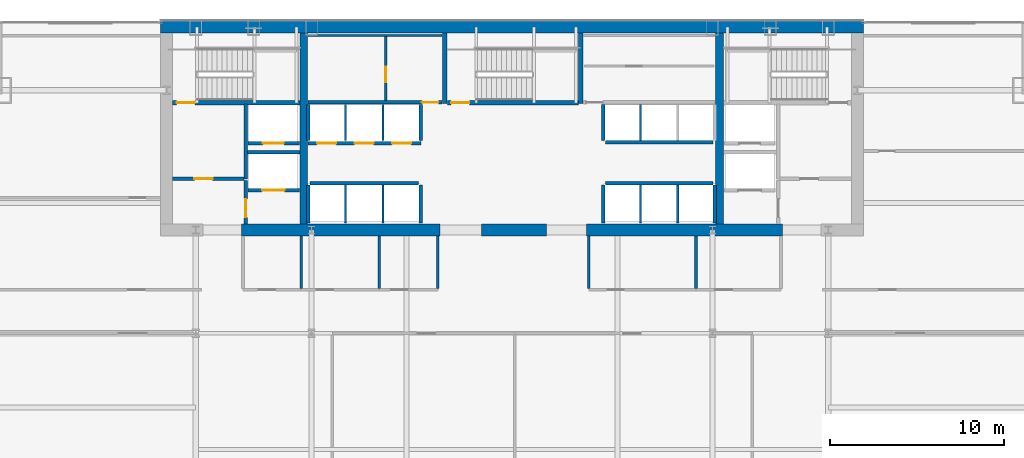
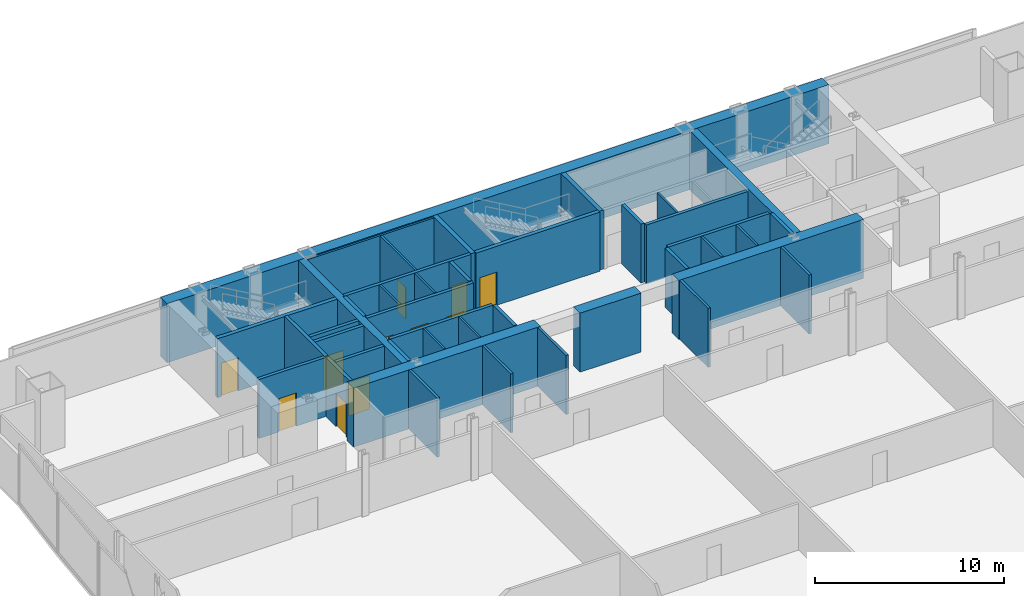
# One storey, part 27 of 30: 42 walls, 11 doors, 11 openings.
"""IFC4 building model written with IfcOpenShell, lengths in metres."""

from ifc_helpers import new_model, si_unit, direction, frame, frame_2d, origin, place, context, subcontext, project, spatial, rectangle, extrude, material, layer, layer_set, type_object, element, fill, save


model = new_model("IFC4")

# Units and contexts
model_context = context("Model", 3, precision=1e-05, world=origin(), true_north=direction((0.0, 1.0)))
body_context = subcontext(model_context, "Body", "Model", "MODEL_VIEW")
ifc_project = project(units=[si_unit("LENGTHUNIT", "METRE"), si_unit("AREAUNIT", "SQUARE_METRE"), si_unit("VOLUMEUNIT", "CUBIC_METRE"), si_unit("PLANEANGLEUNIT", "RADIAN"), si_unit("MASSUNIT", "GRAM", prefix="KILO")], contexts=[model_context])

# Site, building, storey
site_placement = place(None, origin())
site = spatial("IfcSite", under=ifc_project, at=site_placement, CompositionType="ELEMENT")
building_placement = place(site_placement, origin())
building = spatial("IfcBuilding", under=site, at=building_placement, Name="Khoronbel Lancet Exchange", CompositionType="ELEMENT")
storey_placement = place(building_placement, frame((0.0, 0.0, 90.60009765625)))
storey = spatial("IfcBuildingStorey", under=building, at=storey_placement, Name="L21", CompositionType="ELEMENT", Elevation=90.60009765625)

# Walls
ifc_material_1 = material(Name="Concrete C80/95", Category="concrete")
ifc_layer_1 = layer(ifc_material_1, 0.699951171875, Name="Concrete C80/95")
ifc_layer_set_1 = layer_set([ifc_layer_1], Name="Concrete C80/95")
wall_type_1 = type_object("IfcWallType", Name="WL-CW2", PredefinedType="SHEAR", material=ifc_layer_set_1)
wall_1_placement = place(storey_placement, frame((16.199951171875, 53.35009765625, 0.0), z_axis=(0.0, 0.0, 1.0), x_axis=(1.0, 0.0, 0.0)))
element("IfcWall", 1, at=wall_1_placement, inside=storey, type_object=wall_type_1, Name="Level L21 rear core north shear wall", PredefinedType="SHEAR", context=body_context, shape_type="SweptSolid", body=[
    extrude(rectangle(XDim=40.5, YDim=0.699951171875, at=frame_2d((20.25, 0.0))), origin(), (0.0, 0.0, 1.0), 3.81982421875),
])
wall_2_placement = place(storey_placement, frame((32.300048828125, 41.64990234375, 0.0), z_axis=(0.0, 0.0, 1.0), x_axis=(-1.0, 0.0, 0.0)))
element("IfcWall", 2, at=wall_2_placement, inside=storey, type_object=wall_type_1, Name="Level L21 rear core south shear wall pier P2", PredefinedType="SHEAR", context=body_context, shape_type="SweptSolid", body=[
    extrude(rectangle(XDim=11.449951171875, YDim=0.699951171875, at=frame_2d((5.72509765625, 0.0))), origin(), (0.0, 0.0, 1.0), 3.81982421875),
])
wall_3_placement = place(storey_placement, frame((38.449951171875, 41.64990234375, 0.0), z_axis=(0.0, 0.0, 1.0), x_axis=(-1.0, 0.0, 0.0)))
element("IfcWall", 3, at=wall_3_placement, inside=storey, type_object=wall_type_1, Name="Level L21 rear core south shear wall pier P3", PredefinedType="SHEAR", context=body_context, shape_type="SweptSolid", body=[
    extrude(rectangle(XDim=3.75, YDim=0.699951171875, at=frame_2d((1.875, 0.0))), origin(), (0.0, 0.0, 1.0), 3.81982421875),
])
wall_4_placement = place(storey_placement, frame((52.050048828125, 41.64990234375, 0.0), z_axis=(0.0, 0.0, 1.0), x_axis=(-1.0, 0.0, 0.0)))
element("IfcWall", 4, at=wall_4_placement, inside=storey, type_object=wall_type_1, Name="Level L21 rear core south shear wall pier P4", PredefinedType="SHEAR", context=body_context, shape_type="SweptSolid", body=[
    extrude(rectangle(XDim=11.300048828125, YDim=0.699951171875, at=frame_2d((5.64990234375, 0.0))), origin(), (0.0, 0.0, 1.0), 3.81982421875),
])
ifc_material_2 = material(Name="Acoustic Metal-Stud & Mineral-Wool Gypsum Partition 120 mm", Category="gypsum")
ifc_layer_2 = layer(ifc_material_2, 0.1201171875, Name="Acoustic Metal-Stud & Mineral-Wool Gypsum Partition 120 mm")
ifc_layer_set_2 = layer_set([ifc_layer_2], Name="Acoustic Metal-Stud & Mineral-Wool Gypsum Partition 120 mm")
wall_type_2 = type_object("IfcWallType", Name="WL-PRT120", PredefinedType="PARTITIONING", material=ifc_layer_set_2)
for number, where, z_axis, x_axis, name in (
    (5, (24.300048828125, 38.280029296875, 0.0), (0.0, 0.0, 1.0), (0.0, 1.0, 0.0), "Level L21 interior partition PW-WC-1"),
    (6, (28.800048828125, 38.280029296875, 0.0), (0.0, 0.0, 1.0), (0.0, 1.0, 0.0), "Level L21 interior partition PW-WC-2"),
    (7, (32.179931640625, 38.280029296875, 0.0), (0.0, 0.0, 1.0), (0.0, 1.0, 0.0), "Level L21 interior partition PW-WC-3"),
    (8, (40.8798828125, 38.280029296875, 0.0), (0.0, 0.0, 1.0), (0.0, 1.0, 0.0), "Level L21 interior partition PW-NP-0"),
    (9, (47.050048828125, 38.280029296875, 0.0), (0.0, 0.0, 1.0), (0.0, 1.0, 0.0), "Level L21 interior partition PW-NP-M"),
):
    element("IfcWall", number, at=place(storey_placement, frame(where, z_axis=z_axis, x_axis=x_axis)), inside=storey, type_object=wall_type_2, Name=name, PredefinedType="PARTITIONING", context=body_context, shape_type="SweptSolid", body=[
        extrude(rectangle(XDim=3.02001953125, YDim=0.14990234375, at=frame_2d((1.510009765625, 0.0))), origin(), (0.0, 0.0, 1.0), 3.81982421875),
    ])
ifc_material_3 = material(Name="Fire-Rated Metal-Stud & Mineral-Wool Gypsum Partition 120 mm", Category="gypsum")
ifc_layer_3 = layer(ifc_material_3, 0.1201171875, Name="Fire-Rated Metal-Stud & Mineral-Wool Gypsum Partition 120 mm")
ifc_layer_set_3 = layer_set([ifc_layer_3], Name="Fire-Rated Metal-Stud & Mineral-Wool Gypsum Partition 120 mm")
wall_type_3 = type_object("IfcWallType", Name="WL-PRT120F", PredefinedType="PARTITIONING", material=ifc_layer_set_3)
for number, where, z_axis, x_axis, name in (
    (10, (26.860107421875, 46.800048828125, 0.0), (0.0, 0.0, 1.0), (0.0, 1.0, 0.0), "Level L21 interior partition CW-PL-D1"),
    (11, (29.02001953125, 46.800048828125, 0.0), (0.0, 0.0, 1.0), (0.0, 1.0, 0.0), "Level L21 interior partition CW-PL-D2"),
):
    element("IfcWall", number, at=place(storey_placement, frame(where, z_axis=z_axis, x_axis=x_axis)), inside=storey, type_object=wall_type_3, Name=name, PredefinedType="PARTITIONING", context=body_context, shape_type="SweptSolid", body=[
        extrude(rectangle(XDim=2.094970703125, YDim=0.1201171875, at=frame_2d((1.04736328125, 0.0))), origin(), (0.0, 0.0, 1.0), 3.81982421875),
    ])
for number, where, z_axis, x_axis, name in (
    (12, (26.860107421875, 42.050048828125, 0.0), (0.0, 0.0, 1.0), (0.0, 1.0, 0.0), "Level L21 interior partition CW-PM-D1"),
    (13, (29.02001953125, 42.050048828125, 0.0), (0.0, 0.0, 1.0), (0.0, 1.0, 0.0), "Level L21 interior partition CW-PM-D2"),
):
    element("IfcWall", number, at=place(storey_placement, frame(where, z_axis=z_axis, x_axis=x_axis)), inside=storey, type_object=wall_type_3, Name=name, PredefinedType="PARTITIONING", context=body_context, shape_type="SweptSolid", body=[
        extrude(rectangle(XDim=2.195068359375, YDim=0.1201171875, at=frame_2d((1.09765625, 0.0))), origin(), (0.0, 0.0, 1.0), 3.81982421875),
    ])
wall_5_placement = place(storey_placement, frame((43.860107421875, 46.804931640625, 0.0), z_axis=(0.0, 0.0, 1.0), x_axis=(0.0, 1.0, 0.0)))
element("IfcWall", 14, at=wall_5_placement, inside=storey, type_object=wall_type_3, Name="Level L21 interior partition CW-PH-D1", PredefinedType="PARTITIONING", context=body_context, shape_type="SweptSolid", body=[
    extrude(rectangle(XDim=2.090087890625, YDim=0.1201171875, at=frame_2d((1.044921875, 0.0))), origin(), (0.0, 0.0, 1.0), 3.81982421875),
])
for number, where, z_axis, x_axis, name in (
    (15, (43.860107421875, 42.050048828125, 0.0), (0.0, 0.0, 1.0), (0.0, 1.0, 0.0), "Level L21 interior partition CW-PX-D1"),
    (16, (46.0, 42.050048828125, 0.0), (0.0, 0.0, 1.0), (0.0, 1.0, 0.0), "Level L21 interior partition CW-PX-D2"),
):
    element("IfcWall", number, at=place(storey_placement, frame(where, z_axis=z_axis, x_axis=x_axis)), inside=storey, type_object=wall_type_3, Name=name, PredefinedType="PARTITIONING", context=body_context, shape_type="SweptSolid", body=[
        extrude(rectangle(XDim=2.195068359375, YDim=0.1201171875, at=frame_2d((1.09765625, 0.0))), origin(), (0.0, 0.0, 1.0), 3.81982421875),
    ])
wall_6_placement = place(storey_placement, frame((24.699951171875, 52.860107421875, 0.0), z_axis=(0.0, 0.0, 1.0), x_axis=(1.0, 0.0, 0.0)))
element("IfcWall", 17, at=wall_6_placement, inside=storey, type_object=wall_type_3, Name="Level L21 interior partition CW-SUP-NW-N", PredefinedType="PARTITIONING", context=body_context, shape_type="SweptSolid", body=[
    extrude(rectangle(XDim=7.719970703125, YDim=0.1201171875, at=frame_2d((3.85986328125, 0.0))), origin(), (0.0, 0.0, 1.0), 3.81982421875),
])

# Wall, opening, door
wall_7_placement = place(storey_placement, frame((29.177490234375, 49.10498046875, 0.0), z_axis=(0.0, 0.0, 1.0), x_axis=(0.0, 1.0, 0.0)))
wall_7 = element("IfcWall", 18, at=wall_7_placement, inside=storey, type_object=wall_type_3, Name="Level L21 interior partition CW-SUP-NW-M", PredefinedType="PARTITIONING", context=body_context, shape_type="SweptSolid", body=[
    extrude(rectangle(XDim=3.68994140625, YDim=0.1201171875, at=frame_2d((1.844970703125, 0.0))), origin(), (0.0, 0.0, 1.0), 3.81982421875),
])
opening_1_placement = place(wall_7_placement, frame((1.050048828125, 0.0, 0.0)))
opening_1 = element("IfcOpeningElement", 19, at=opening_1_placement, cuts=wall_7, Name="Opening FD4", PredefinedType="OPENING", context=body_context, shape_type="SweptSolid", body=[
    extrude(rectangle(XDim=0.89990234375, YDim=2.050048828125, at=frame_2d((0.449951171875, 1.02490234375))), frame((0.0, 0.070068359375, 0.0), z_axis=(0.0, -1.0, 0.0), x_axis=(1.0, 0.0, 0.0)), (0.0, 0.0, 1.0), 0.14013671875),
])
ifc_material_4 = material(Name="Fire-Rated Steel Core Support Door Assembly", Category="steel")
door_type_1 = type_object("IfcDoorType", Name="DR-FD4", OperationType="NOTDEFINED", PredefinedType="DOOR", material=ifc_material_4)
door_1_placement = place(opening_1_placement, origin())
door_1 = element("IfcDoor", 20, at=door_1_placement, inside=storey, type_object=door_type_1, Name="Core NW inner support door L21-1", OperationType="SINGLE_SWING_LEFT", OverallHeight=2.050048828125, OverallWidth=0.89990234375, PredefinedType="DOOR", context=body_context, shape_type="SweptSolid", body=[
    extrude(rectangle(XDim=0.89990234375, YDim=2.050048828125, at=frame_2d((0.449951171875, 1.02490234375))), frame((0.0, 0.02490234375, 0.0), z_axis=(0.0, -1.0, 0.0), x_axis=(1.0, 0.0, 0.0)), (0.0, 0.0, 1.0), 0.050048828125),
])
fill(opening_1, door_1)

ifc_material_5 = material(Name="Autoclaved Aerated Concrete Blockwork 200 mm", Category="masonry")
ifc_layer_4 = layer(ifc_material_5, 0.199951171875, Name="Autoclaved Aerated Concrete Blockwork 200 mm")
ifc_layer_set_4 = layer_set([ifc_layer_4], Name="Autoclaved Aerated Concrete Blockwork 200 mm")
wall_type_4 = type_object("IfcWallType", Name="WL-PRT200", PredefinedType="PARTITIONING", material=ifc_layer_set_4)
wall_8_placement = place(storey_placement, frame((24.2099609375, 43.949951171875, 0.0), z_axis=(0.0, 0.0, 1.0), x_axis=(-1.0, 0.0, 0.0)))
wall_8 = element("IfcWall", 21, at=wall_8_placement, inside=storey, type_object=wall_type_4, Name="Level L21 elevator hoistway landing front wall SVLW", PredefinedType="PARTITIONING", context=body_context, shape_type="SweptSolid", body=[
    extrude(rectangle(XDim=2.969970703125, YDim=0.199951171875, at=frame_2d((1.48486328125, 0.0))), origin(), (0.0, 0.0, 1.0), 3.81982421875),
])
opening_2_placement = place(wall_8_placement, frame((0.860107421875, 0.0, 0.0)))
opening_2 = element("IfcOpeningElement", 22, at=opening_2_placement, cuts=wall_8, Name="Opening LD-SVL1", PredefinedType="OPENING", context=body_context, shape_type="SweptSolid", body=[
    extrude(rectangle(XDim=1.300048828125, YDim=2.179931640625, at=frame_2d((0.64990234375, 1.08984375))), frame((0.0, 0.10986328125, 0.0), z_axis=(0.0, -1.0, 0.0), x_axis=(1.0, 0.0, 0.0)), (0.0, 0.0, 1.0), 0.219970703125),
])
ifc_material_6 = material(Name="Heavy-Duty Bi-Parting Goods Lift Landing Door", Category="steel")
door_type_2 = type_object("IfcDoorType", Name="DR-LD-SVL", OperationType="NOTDEFINED", PredefinedType="DOOR", material=ifc_material_6)
door_2_placement = place(opening_2_placement, origin())
door_2 = element("IfcDoor", 23, at=door_2_placement, inside=storey, type_object=door_type_2, Name="Elevator landing sliding door LD-SVL1 L21", OperationType="SLIDING_TO_LEFT", OverallHeight=2.179931640625, OverallWidth=1.300048828125, PredefinedType="DOOR", context=body_context, shape_type="SweptSolid", body=[
    extrude(rectangle(XDim=1.300048828125, YDim=2.179931640625, at=frame_2d((0.64990234375, 1.08984375))), frame((0.0, 0.02490234375, 0.0), z_axis=(0.0, -1.0, 0.0), x_axis=(1.0, 0.0, 0.0)), (0.0, 0.0, 1.0), 0.050048828125),
])
fill(opening_2, door_2)

wall_9_placement = place(storey_placement, frame((24.2099609375, 46.64990234375, 0.0), z_axis=(0.0, 0.0, 1.0), x_axis=(-1.0, 0.0, 0.0)))
wall_9 = element("IfcWall", 24, at=wall_9_placement, inside=storey, type_object=wall_type_4, Name="Level L21 elevator hoistway landing front wall FFLW", PredefinedType="PARTITIONING", context=body_context, shape_type="SweptSolid", body=[
    extrude(rectangle(XDim=2.969970703125, YDim=0.199951171875, at=frame_2d((1.48486328125, 0.0))), origin(), (0.0, 0.0, 1.0), 3.81982421875),
])
opening_3_placement = place(wall_9_placement, frame((0.909912109375, 0.0, 0.0)))
opening_3 = element("IfcOpeningElement", 25, at=opening_3_placement, cuts=wall_9, Name="Opening LD-FFL1", PredefinedType="OPENING", context=body_context, shape_type="SweptSolid", body=[
    extrude(rectangle(XDim=1.199951171875, YDim=2.179931640625, at=frame_2d((0.60009765625, 1.08984375))), frame((0.0, 0.10986328125, 0.0), z_axis=(0.0, -1.0, 0.0), x_axis=(1.0, 0.0, 0.0)), (0.0, 0.0, 1.0), 0.219970703125),
])
ifc_material_7 = material(Name="Fire-Rated Stainless Bi-Parting Firefighting Lift Door", Category="steel")
door_type_3 = type_object("IfcDoorType", Name="DR-LD-FFL", OperationType="NOTDEFINED", PredefinedType="DOOR", material=ifc_material_7)
door_3_placement = place(opening_3_placement, origin())
door_3 = element("IfcDoor", 26, at=door_3_placement, inside=storey, type_object=door_type_3, Name="Elevator landing sliding door LD-FFL1 L21", OperationType="SLIDING_TO_LEFT", OverallHeight=2.179931640625, OverallWidth=1.199951171875, PredefinedType="DOOR", context=body_context, shape_type="SweptSolid", body=[
    extrude(rectangle(XDim=1.199951171875, YDim=2.179931640625, at=frame_2d((0.60009765625, 1.08984375))), frame((0.0, 0.02490234375, 0.0), z_axis=(0.0, -1.0, 0.0), x_axis=(1.0, 0.0, 0.0)), (0.0, 0.0, 1.0), 0.050048828125),
])
fill(opening_3, door_3)

# Wall, openings, doors
wall_10_placement = place(storey_placement, frame((31.219970703125, 46.64990234375, 0.0), z_axis=(0.0, 0.0, 1.0), x_axis=(-1.0, 0.0, 0.0)))
wall_10 = element("IfcWall", 27, at=wall_10_placement, inside=storey, type_object=wall_type_4, Name="Level L21 elevator hoistway landing front wall PLW", PredefinedType="PARTITIONING", context=body_context, shape_type="SweptSolid", body=[
    extrude(rectangle(XDim=6.530029296875, YDim=0.199951171875, at=frame_2d((3.26513671875, 0.0))), origin(), (0.0, 0.0, 1.0), 3.81982421875),
])
opening_4_placement = place(wall_10_placement, frame((4.89990234375, 0.0, 0.0)))
opening_4 = element("IfcOpeningElement", 28, at=opening_4_placement, cuts=wall_10, Name="Opening LD-PL1", PredefinedType="OPENING", context=body_context, shape_type="SweptSolid", body=[
    extrude(rectangle(XDim=1.10009765625, YDim=2.179931640625, at=frame_2d((0.550048828125, 1.08984375))), frame((0.0, 0.10986328125, 0.0), z_axis=(0.0, -1.0, 0.0), x_axis=(1.0, 0.0, 0.0)), (0.0, 0.0, 1.0), 0.219970703125),
])
opening_5_placement = place(wall_10_placement, frame((2.739990234375, 0.0, 0.0)))
opening_5 = element("IfcOpeningElement", 29, at=opening_5_placement, cuts=wall_10, Name="Opening LD-PL2", PredefinedType="OPENING", context=body_context, shape_type="SweptSolid", body=[
    extrude(rectangle(XDim=1.10009765625, YDim=2.179931640625, at=frame_2d((0.550048828125, 1.08984375))), frame((0.0, 0.10986328125, 0.0), z_axis=(0.0, -1.0, 0.0), x_axis=(1.0, 0.0, 0.0)), (0.0, 0.0, 1.0), 0.219970703125),
])
opening_6_placement = place(wall_10_placement, frame((0.580078125, 0.0, 0.0)))
opening_6 = element("IfcOpeningElement", 30, at=opening_6_placement, cuts=wall_10, Name="Opening LD-PL3", PredefinedType="OPENING", context=body_context, shape_type="SweptSolid", body=[
    extrude(rectangle(XDim=1.10009765625, YDim=2.179931640625, at=frame_2d((0.550048828125, 1.08984375))), frame((0.0, 0.10986328125, 0.0), z_axis=(0.0, -1.0, 0.0), x_axis=(1.0, 0.0, 0.0)), (0.0, 0.0, 1.0), 0.219970703125),
])
ifc_material_8 = material(Name="Brushed Bronze Bi-Parting Elevator Landing Door", Category="steel")
door_type_4 = type_object("IfcDoorType", Name="DR-LD-PAX", OperationType="NOTDEFINED", PredefinedType="DOOR", material=ifc_material_8)
door_4_placement = place(opening_4_placement, origin())
door_4 = element("IfcDoor", 31, at=door_4_placement, inside=storey, type_object=door_type_4, Name="Elevator landing sliding door LD-PL1 L21", OperationType="SLIDING_TO_LEFT", OverallHeight=2.179931640625, OverallWidth=1.10009765625, PredefinedType="DOOR", context=body_context, shape_type="SweptSolid", body=[
    extrude(rectangle(XDim=1.10009765625, YDim=2.179931640625, at=frame_2d((0.550048828125, 1.08984375))), frame((0.0, 0.02490234375, 0.0), z_axis=(0.0, -1.0, 0.0), x_axis=(1.0, 0.0, 0.0)), (0.0, 0.0, 1.0), 0.050048828125),
])
fill(opening_4, door_4)
door_5_placement = place(opening_5_placement, origin())
door_5 = element("IfcDoor", 32, at=door_5_placement, inside=storey, type_object=door_type_4, Name="Elevator landing sliding door LD-PL2 L21", OperationType="SLIDING_TO_LEFT", OverallHeight=2.179931640625, OverallWidth=1.10009765625, PredefinedType="DOOR", context=body_context, shape_type="SweptSolid", body=[
    extrude(rectangle(XDim=1.10009765625, YDim=2.179931640625, at=frame_2d((0.550048828125, 1.08984375))), frame((0.0, 0.02490234375, 0.0), z_axis=(0.0, -1.0, 0.0), x_axis=(1.0, 0.0, 0.0)), (0.0, 0.0, 1.0), 0.050048828125),
])
fill(opening_5, door_5)
door_6_placement = place(opening_6_placement, origin())
door_6 = element("IfcDoor", 33, at=door_6_placement, inside=storey, type_object=door_type_4, Name="Elevator landing sliding door LD-PL3 L21", OperationType="SLIDING_TO_LEFT", OverallHeight=2.179931640625, OverallWidth=1.10009765625, PredefinedType="DOOR", context=body_context, shape_type="SweptSolid", body=[
    extrude(rectangle(XDim=1.10009765625, YDim=2.179931640625, at=frame_2d((0.550048828125, 1.08984375))), frame((0.0, 0.02490234375, 0.0), z_axis=(0.0, -1.0, 0.0), x_axis=(1.0, 0.0, 0.0)), (0.0, 0.0, 1.0), 0.050048828125),
])
fill(opening_6, door_6)

# Wall
wall_11_placement = place(storey_placement, frame((21.10009765625, 44.60009765625, 0.0), z_axis=(0.0, 0.0, 1.0), x_axis=(0.0, 1.0, 0.0)))
element("IfcWall", 34, at=wall_11_placement, inside=storey, type_object=wall_type_4, Name="Level L21 interior partition CW-FFLW-E", PredefinedType="PARTITIONING", context=body_context, shape_type="SweptSolid", body=[
    extrude(rectangle(XDim=4.2998046875, YDim=0.199951171875, at=frame_2d((2.14990234375, 0.0))), origin(), (0.0, 0.0, 1.0), 3.81982421875),
])

# Wall, opening, door
wall_12_placement = place(storey_placement, frame((16.89990234375, 44.60009765625, 0.0), z_axis=(0.0, 0.0, 1.0), x_axis=(1.0, 0.0, 0.0)))
wall_12 = element("IfcWall", 35, at=wall_12_placement, inside=storey, type_object=wall_type_4, Name="Level L21 interior partition CW-FFLW-S", PredefinedType="PARTITIONING", context=body_context, shape_type="SweptSolid", body=[
    extrude(rectangle(XDim=4.10009765625, YDim=0.199951171875, at=frame_2d((2.050048828125, 0.0))), origin(), (0.0, 0.0, 1.0), 3.81982421875),
])
opening_7_placement = place(wall_12_placement, frame((1.25, 0.0, 0.0)))
opening_7 = element("IfcOpeningElement", 36, at=opening_7_placement, cuts=wall_12, Name="Opening FD1", PredefinedType="OPENING", context=body_context, shape_type="SweptSolid", body=[
    extrude(rectangle(XDim=1.050048828125, YDim=2.14990234375, at=frame_2d((0.52490234375, 1.074951171875))), frame((0.0, 0.10986328125, 0.0), z_axis=(0.0, -1.0, 0.0), x_axis=(1.0, 0.0, 0.0)), (0.0, 0.0, 1.0), 0.219970703125),
])
ifc_material_9 = material(Name="Fire-Rated Painted Steel Door Assembly", Category="steel")
door_type_5 = type_object("IfcDoorType", Name="DR-FD1", OperationType="NOTDEFINED", PredefinedType="DOOR", material=ifc_material_9)
door_7_placement = place(opening_7_placement, origin())
door_7 = element("IfcDoor", 37, at=door_7_placement, inside=storey, type_object=door_type_5, Name="West firefighting lobby FD90S door L21-1", OperationType="SINGLE_SWING_RIGHT", OverallHeight=2.14990234375, OverallWidth=1.050048828125, PredefinedType="DOOR", context=body_context, shape_type="SweptSolid", body=[
    extrude(rectangle(XDim=1.050048828125, YDim=2.14990234375, at=frame_2d((0.52490234375, 1.074951171875))), frame((0.0, 0.02490234375, 0.0), z_axis=(0.0, -1.0, 0.0), x_axis=(1.0, 0.0, 0.0)), (0.0, 0.0, 1.0), 0.050048828125),
])
fill(opening_7, door_7)

# Wall
wall_13_placement = place(storey_placement, frame((21.199951171875, 46.1201171875, 0.0), z_axis=(0.0, 0.0, 1.0), x_axis=(1.0, 0.0, 0.0)))
element("IfcWall", 38, at=wall_13_placement, inside=storey, type_object=wall_type_4, Name="Level L21 interior partition CW-FFL1-S", PredefinedType="PARTITIONING", context=body_context, shape_type="SweptSolid", body=[
    extrude(rectangle(XDim=3.02001953125, YDim=0.199951171875, at=frame_2d((1.510009765625, 0.0))), origin(), (0.0, 0.0, 1.0), 3.81982421875),
])

# Wall, opening, door
wall_14_placement = place(storey_placement, frame((21.10009765625, 42.0, 0.0), z_axis=(0.0, 0.0, 1.0), x_axis=(0.0, 1.0, 0.0)))
wall_14 = element("IfcWall", 39, at=wall_14_placement, inside=storey, type_object=wall_type_4, Name="Level L21 interior partition CW-SVLW-W", PredefinedType="PARTITIONING", context=body_context, shape_type="SweptSolid", body=[
    extrude(rectangle(XDim=2.4951171875, YDim=0.199951171875, at=frame_2d((1.24755859375, 0.0))), origin(), (0.0, 0.0, 1.0), 3.81982421875),
])
opening_8_placement = place(wall_14_placement, frame((0.3798828125, 0.0, 0.0)))
opening_8 = element("IfcOpeningElement", 40, at=opening_8_placement, cuts=wall_14, Name="Opening FD1", PredefinedType="OPENING", context=body_context, shape_type="SweptSolid", body=[
    extrude(rectangle(XDim=1.050048828125, YDim=2.14990234375, at=frame_2d((0.52490234375, 1.074951171875))), frame((0.0, 0.10986328125, 0.0), z_axis=(0.0, -1.0, 0.0), x_axis=(1.0, 0.0, 0.0)), (0.0, 0.0, 1.0), 0.219970703125),
])
door_8_placement = place(opening_8_placement, origin())
door_8 = element("IfcDoor", 41, at=door_8_placement, inside=storey, type_object=door_type_5, Name="West service lift lobby door L21-1", OperationType="SINGLE_SWING_LEFT", OverallHeight=2.14990234375, OverallWidth=1.050048828125, PredefinedType="DOOR", context=body_context, shape_type="SweptSolid", body=[
    extrude(rectangle(XDim=1.050048828125, YDim=2.14990234375, at=frame_2d((0.52490234375, 1.074951171875))), frame((0.0, 0.02490234375, 0.0), z_axis=(0.0, -1.0, 0.0), x_axis=(1.0, 0.0, 0.0)), (0.0, 0.0, 1.0), 0.050048828125),
])
fill(opening_8, door_8)

# Walls
for number, where, z_axis, x_axis, name in (
    (42, (24.699951171875, 46.800048828125, 0.0), (0.0, 0.0, 1.0), (0.0, 1.0, 0.0), "Level L21 interior partition CW-PL-W"),
    (43, (31.179931640625, 46.800048828125, 0.0), (0.0, 0.0, 1.0), (0.0, 1.0, 0.0), "Level L21 interior partition CW-PL-E"),
):
    element("IfcWall", number, at=place(storey_placement, frame(where, z_axis=z_axis, x_axis=x_axis)), inside=storey, type_object=wall_type_4, Name=name, PredefinedType="PARTITIONING", context=body_context, shape_type="SweptSolid", body=[
        extrude(rectangle(XDim=2.094970703125, YDim=0.199951171875, at=frame_2d((1.04736328125, 0.0))), origin(), (0.0, 0.0, 1.0), 3.81982421875),
    ])
wall_15_placement = place(storey_placement, frame((24.804931640625, 44.35009765625, 0.0), z_axis=(0.0, 0.0, 1.0), x_axis=(1.0, 0.0, 0.0)))
element("IfcWall", 44, at=wall_15_placement, inside=storey, type_object=wall_type_4, Name="Level L21 interior partition CW-PM-EXP", PredefinedType="PARTITIONING", context=body_context, shape_type="SweptSolid", body=[
    extrude(rectangle(XDim=6.27001953125, YDim=0.199951171875, at=frame_2d((3.135009765625, 0.0))), origin(), (0.0, 0.0, 1.0), 3.81982421875),
])
for number, where, z_axis, x_axis, name in (
    (45, (24.699951171875, 42.050048828125, 0.0), (0.0, 0.0, 1.0), (0.0, 1.0, 0.0), "Level L21 interior partition CW-PM-W"),
    (46, (31.179931640625, 42.050048828125, 0.0), (0.0, 0.0, 1.0), (0.0, 1.0, 0.0), "Level L21 interior partition CW-PM-E"),
):
    element("IfcWall", number, at=place(storey_placement, frame(where, z_axis=z_axis, x_axis=x_axis)), inside=storey, type_object=wall_type_4, Name=name, PredefinedType="PARTITIONING", context=body_context, shape_type="SweptSolid", body=[
        extrude(rectangle(XDim=2.195068359375, YDim=0.199951171875, at=frame_2d((1.09765625, 0.0))), origin(), (0.0, 0.0, 1.0), 3.81982421875),
    ])
wall_16_placement = place(storey_placement, frame((41.824951171875, 46.699951171875, 0.0), z_axis=(0.0, 0.0, 1.0), x_axis=(1.0, 0.0, 0.0)))
element("IfcWall", 47, at=wall_16_placement, inside=storey, type_object=wall_type_4, Name="Level L21 interior partition CW-PH-EXP", PredefinedType="PARTITIONING", context=body_context, shape_type="SweptSolid", body=[
    extrude(rectangle(XDim=6.2099609375, YDim=0.199951171875, at=frame_2d((3.10498046875, 0.0))), origin(), (0.0, 0.0, 1.0), 3.81982421875),
])
wall_17_placement = place(storey_placement, frame((41.719970703125, 46.804931640625, 0.0), z_axis=(0.0, 0.0, 1.0), x_axis=(0.0, 1.0, 0.0)))
element("IfcWall", 48, at=wall_17_placement, inside=storey, type_object=wall_type_4, Name="Level L21 interior partition CW-PH-W", PredefinedType="PARTITIONING", context=body_context, shape_type="SweptSolid", body=[
    extrude(rectangle(XDim=2.090087890625, YDim=0.199951171875, at=frame_2d((1.044921875, 0.0))), origin(), (0.0, 0.0, 1.0), 3.81982421875),
])
wall_18_placement = place(storey_placement, frame((41.824951171875, 44.35009765625, 0.0), z_axis=(0.0, 0.0, 1.0), x_axis=(1.0, 0.0, 0.0)))
element("IfcWall", 49, at=wall_18_placement, inside=storey, type_object=wall_type_4, Name="Level L21 interior partition CW-PX-EXP", PredefinedType="PARTITIONING", context=body_context, shape_type="SweptSolid", body=[
    extrude(rectangle(XDim=6.2099609375, YDim=0.199951171875, at=frame_2d((3.10498046875, 0.0))), origin(), (0.0, 0.0, 1.0), 3.81982421875),
])
for number, where, z_axis, x_axis, name in (
    (50, (41.719970703125, 42.050048828125, 0.0), (0.0, 0.0, 1.0), (0.0, 1.0, 0.0), "Level L21 interior partition CW-PX-W"),
    (51, (48.139892578125, 42.050048828125, 0.0), (0.0, 0.0, 1.0), (0.0, 1.0, 0.0), "Level L21 interior partition CW-PX-E"),
):
    element("IfcWall", number, at=place(storey_placement, frame(where, z_axis=z_axis, x_axis=x_axis)), inside=storey, type_object=wall_type_4, Name=name, PredefinedType="PARTITIONING", context=body_context, shape_type="SweptSolid", body=[
        extrude(rectangle(XDim=2.195068359375, YDim=0.199951171875, at=frame_2d((1.09765625, 0.0))), origin(), (0.0, 0.0, 1.0), 3.81982421875),
    ])

# Wall, opening, door
wall_19_placement = place(storey_placement, frame((24.699951171875, 49.0, 0.0), z_axis=(0.0, 0.0, 1.0), x_axis=(1.0, 0.0, 0.0)))
wall_19 = element("IfcWall", 52, at=wall_19_placement, inside=storey, type_object=wall_type_4, Name="Level L21 interior partition CW-SUP-NW-S", PredefinedType="PARTITIONING", context=body_context, shape_type="SweptSolid", body=[
    extrude(rectangle(XDim=7.719970703125, YDim=0.199951171875, at=frame_2d((3.85986328125, 0.0))), origin(), (0.0, 0.0, 1.0), 3.81982421875),
])
opening_9_placement = place(wall_19_placement, frame((6.56005859375, 0.0, 0.0)))
opening_9 = element("IfcOpeningElement", 53, at=opening_9_placement, cuts=wall_19, Name="Opening FD3", PredefinedType="OPENING", context=body_context, shape_type="SweptSolid", body=[
    extrude(rectangle(XDim=0.949951171875, YDim=2.10009765625, at=frame_2d((0.47509765625, 1.050048828125))), frame((0.0, 0.10986328125, 0.0), z_axis=(0.0, -1.0, 0.0), x_axis=(1.0, 0.0, 0.0)), (0.0, 0.0, 1.0), 0.219970703125),
])
ifc_material_10 = material(Name="Fire-Rated Steel Plant & Riser Door Assembly", Category="steel")
door_type_6 = type_object("IfcDoorType", Name="DR-FD3", OperationType="NOTDEFINED", PredefinedType="DOOR", material=ifc_material_10)
door_9_placement = place(opening_9_placement, origin())
door_9 = element("IfcDoor", 54, at=door_9_placement, inside=storey, type_object=door_type_6, Name="Core NW support room door L21-1", OperationType="SINGLE_SWING_RIGHT", OverallHeight=2.10009765625, OverallWidth=0.949951171875, PredefinedType="DOOR", context=body_context, shape_type="SweptSolid", body=[
    extrude(rectangle(XDim=0.949951171875, YDim=2.10009765625, at=frame_2d((0.47509765625, 1.050048828125))), frame((0.0, 0.02490234375, 0.0), z_axis=(0.0, -1.0, 0.0), x_axis=(1.0, 0.0, 0.0)), (0.0, 0.0, 1.0), 0.050048828125),
])
fill(opening_9, door_9)

# Walls
ifc_layer_5 = layer(ifc_material_1, 0.449951171875, Name="Concrete C80/95")
ifc_layer_set_5 = layer_set([ifc_layer_5], Name="Concrete C80/95")
wall_type_5 = type_object("IfcWallType", Name="WL-SW1", PredefinedType="SHEAR", material=ifc_layer_set_5)
for number, where, z_axis, x_axis, name in (
    (55, (24.449951171875, 42.0, 0.0), (0.0, 0.0, 1.0), (0.0, 1.0, 0.0), "Level L21 rear core internal spine shear wall IW"),
    (56, (48.39990234375, 42.0, 0.0), (0.0, 0.0, 1.0), (0.0, 1.0, 0.0), "Level L21 rear core internal spine shear wall IE"),
):
    element("IfcWall", number, at=place(storey_placement, frame(where, z_axis=z_axis, x_axis=x_axis)), inside=storey, type_object=wall_type_5, Name=name, PredefinedType="SHEAR", context=body_context, shape_type="SweptSolid", body=[
        extrude(rectangle(XDim=11.0, YDim=0.449951171875, at=frame_2d((5.5, 0.0))), origin(), (0.0, 0.0, 1.0), 3.81982421875),
    ])
ifc_material_11 = material(Name="Concrete C60/75", Category="concrete")
ifc_layer_6 = layer(ifc_material_11, 0.260009765625, Name="Concrete C60/75")
ifc_layer_set_6 = layer_set([ifc_layer_6], Name="Concrete C60/75")
wall_type_6 = type_object("IfcWallType", Name="WL-SW3", PredefinedType="SHEAR", material=ifc_layer_set_6)
for number, where, z_axis, x_axis, name in (
    (57, (32.580078125, 48.949951171875, 0.0), (0.0, 0.0, 1.0), (0.0, 1.0, 0.0), "Level L21 central stairwell structural shear wall ST3W"),
    (58, (40.419921875, 48.949951171875, 0.0), (0.0, 0.0, 1.0), (0.0, 1.0, 0.0), "Level L21 central stairwell structural shear wall ST3E"),
):
    element("IfcWall", number, at=place(storey_placement, frame(where, z_axis=z_axis, x_axis=x_axis)), inside=storey, type_object=wall_type_6, Name=name, PredefinedType="SHEAR", context=body_context, shape_type="SweptSolid", body=[
        extrude(rectangle(XDim=4.050048828125, YDim=0.260009765625, at=frame_2d((2.02490234375, 0.0))), origin(), (0.0, 0.0, 1.0), 3.81982421875),
    ])

# Wall, opening, door
wall_20_placement = place(storey_placement, frame((16.89990234375, 48.97998046875, 0.0), z_axis=(0.0, 0.0, 1.0), x_axis=(1.0, 0.0, 0.0)))
wall_20 = element("IfcWall", 59, at=wall_20_placement, inside=storey, type_object=wall_type_6, Name="Level L21 west stairwell structural south wall", PredefinedType="SHEAR", context=body_context, shape_type="SweptSolid", body=[
    extrude(rectangle(XDim=7.320068359375, YDim=0.239990234375, at=frame_2d((3.66015625, 0.0))), origin(), (0.0, 0.0, 1.0), 3.81982421875),
])
opening_10_placement = place(wall_20_placement, frame((0.219970703125, 0.0, 0.0)))
opening_10 = element("IfcOpeningElement", 60, at=opening_10_placement, cuts=wall_20, Name="Opening SD1", PredefinedType="OPENING", context=body_context, shape_type="SweptSolid", body=[
    extrude(rectangle(XDim=1.050048828125, YDim=2.14990234375, at=frame_2d((0.52490234375, 1.074951171875))), frame((0.0, 0.1298828125, 0.0), z_axis=(0.0, -1.0, 0.0), x_axis=(1.0, 0.0, 0.0)), (0.0, 0.0, 1.0), 0.260009765625),
])
ifc_material_12 = material(Name="Fire-Rated Steel Stairwell Door Assembly", Category="steel")
door_type_7 = type_object("IfcDoorType", Name="DR-SD1", OperationType="NOTDEFINED", PredefinedType="DOOR", material=ifc_material_12)
door_10_placement = place(opening_10_placement, origin())
door_10 = element("IfcDoor", 61, at=door_10_placement, inside=storey, type_object=door_type_7, Name="Protected exit stair ST1 door L21", OperationType="SINGLE_SWING_LEFT", OverallHeight=2.14990234375, OverallWidth=1.050048828125, PredefinedType="DOOR", context=body_context, shape_type="SweptSolid", body=[
    extrude(rectangle(XDim=1.050048828125, YDim=2.14990234375, at=frame_2d((0.52490234375, 1.074951171875))), frame((0.0, 0.02490234375, 0.0), z_axis=(0.0, -1.0, 0.0), x_axis=(1.0, 0.0, 0.0)), (0.0, 0.0, 1.0), 0.050048828125),
])
fill(opening_10, door_10)

wall_21_placement = place(storey_placement, frame((32.719970703125, 48.97998046875, 0.0), z_axis=(0.0, 0.0, 1.0), x_axis=(1.0, 0.0, 0.0)))
wall_21 = element("IfcWall", 62, at=wall_21_placement, inside=storey, type_object=wall_type_6, Name="Level L21 central stairwell structural south wall", PredefinedType="SHEAR", context=body_context, shape_type="SweptSolid", body=[
    extrude(rectangle(XDim=7.56005859375, YDim=0.239990234375, at=frame_2d((3.780029296875, 0.0))), origin(), (0.0, 0.0, 1.0), 3.81982421875),
])
opening_11_placement = place(wall_21_placement, frame((0.219970703125, 0.0, 0.0)))
opening_11 = element("IfcOpeningElement", 63, at=opening_11_placement, cuts=wall_21, Name="Opening SD1", PredefinedType="OPENING", context=body_context, shape_type="SweptSolid", body=[
    extrude(rectangle(XDim=1.050048828125, YDim=2.14990234375, at=frame_2d((0.52490234375, 1.074951171875))), frame((0.0, 0.1298828125, 0.0), z_axis=(0.0, -1.0, 0.0), x_axis=(1.0, 0.0, 0.0)), (0.0, 0.0, 1.0), 0.260009765625),
])
door_11_placement = place(opening_11_placement, origin())
door_11 = element("IfcDoor", 64, at=door_11_placement, inside=storey, type_object=door_type_7, Name="Protected exit stair ST3 door L21", OperationType="SINGLE_SWING_LEFT", OverallHeight=2.14990234375, OverallWidth=1.050048828125, PredefinedType="DOOR", context=body_context, shape_type="SweptSolid", body=[
    extrude(rectangle(XDim=1.050048828125, YDim=2.14990234375, at=frame_2d((0.52490234375, 1.074951171875))), frame((0.0, 0.02490234375, 0.0), z_axis=(0.0, -1.0, 0.0), x_axis=(1.0, 0.0, 0.0)), (0.0, 0.0, 1.0), 0.050048828125),
])
fill(opening_11, door_11)

save(model, "model.ifc")
